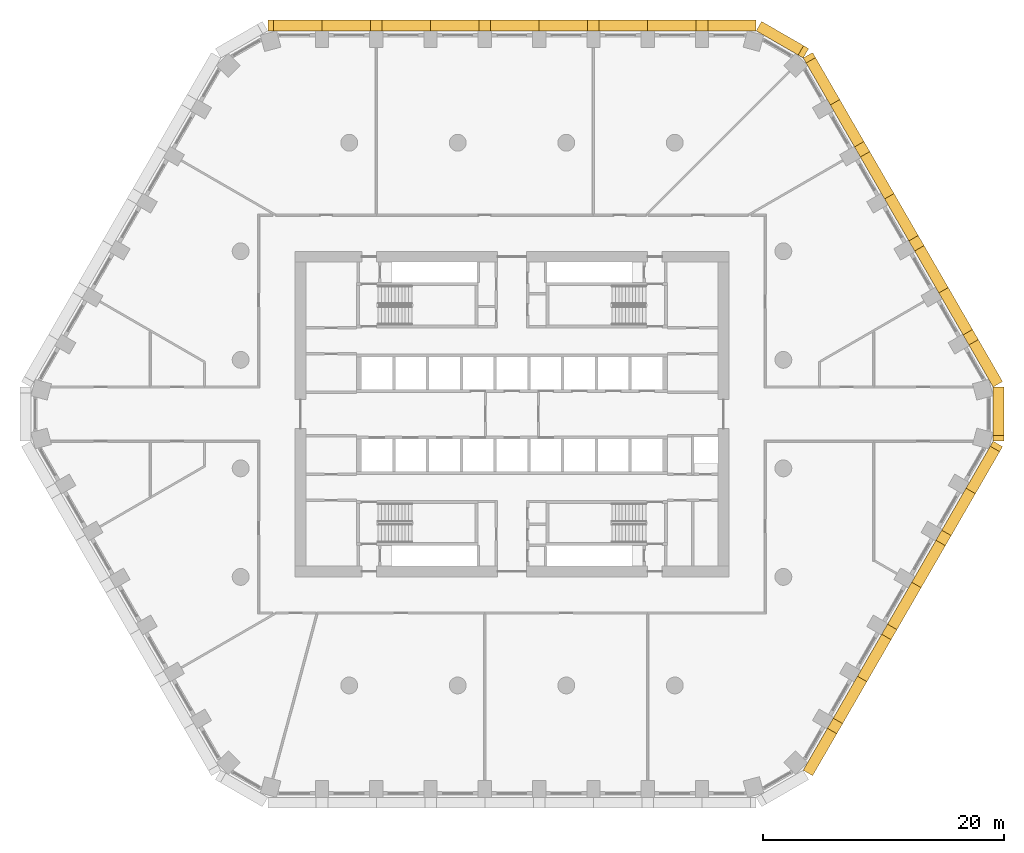
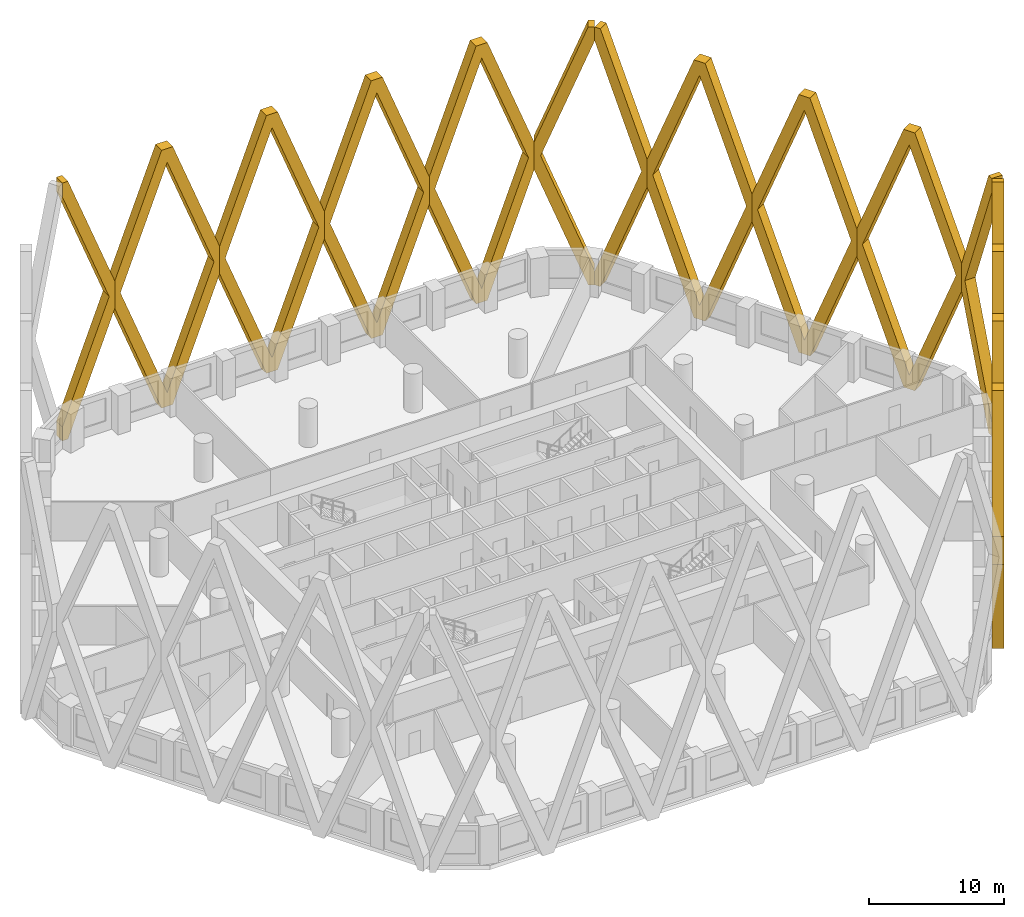
# One storey, part 18 of 18: 15 coverings.
"""IFC4 building model written with IfcOpenShell, lengths in metres."""

from ifc_helpers import new_model, si_unit, direction, frame, origin, place, context, subcontext, project, spatial, polyline, outline, extrude, material, type_object, element, save


model = new_model("IFC4")

# Units and contexts
model_context = context("Model", 3, precision=1e-05, world=origin(), true_north=direction((0.0, 1.0)))
body_context = subcontext(model_context, "Body", "Model", "MODEL_VIEW")
ifc_project = project(units=[si_unit("LENGTHUNIT", "METRE"), si_unit("AREAUNIT", "SQUARE_METRE"), si_unit("VOLUMEUNIT", "CUBIC_METRE"), si_unit("PLANEANGLEUNIT", "RADIAN"), si_unit("MASSUNIT", "GRAM", prefix="KILO")], contexts=[model_context])

# Site, building, storey
site_placement = place(None, origin())
site = spatial("IfcSite", under=ifc_project, at=site_placement, CompositionType="ELEMENT")
building_placement = place(site_placement, origin())
building = spatial("IfcBuilding", under=site, at=building_placement, Name="Dhurran Vertical Campus", CompositionType="ELEMENT")
storey_placement = place(building_placement, frame((0.0, 0.0, 30.0)))
storey = spatial("IfcBuildingStorey", under=building, at=storey_placement, Name="L06", CompositionType="ELEMENT", Elevation=30.0)

# Coverings
ifc_material = material(Name="Precast concrete C50/60", Category="concrete")
covering_type = type_object("IfcCoveringType", Name="Folded precast fin lattice diamond", PredefinedType="USERDEFINED", material=ifc_material)
for number, where, z_axis, x_axis, name in (
    (1, (24.147216796875, -29.52978515625, 0.0), (0.866013897511, -0.50001992892, 0.0), (0.50001992892, 0.866013897511, 0.0), "FN1 L06.007"),
    (2, (28.647216796875, -21.735595703125, 0.0), (0.866013897511, -0.50001992892, 0.0), (0.50001992892, 0.866013897511, 0.0), "FN1 L06.008"),
    (3, (33.147216796875, -13.94140625, 0.0), (0.866013897511, -0.50001992892, 0.0), (0.50001992892, 0.866013897511, 0.0), "FN1 L06.009"),
):
    element("IfcCovering", number, at=place(storey_placement, frame(where, z_axis=z_axis, x_axis=x_axis)), inside=storey, type_object=covering_type, Name=name, ObjectType="FIN", PredefinedType="USERDEFINED", context=body_context, shape_type="SweptSolid", body=[
        extrude(outline(polyline([(9.0, 12.95361328125), (9.0, 10.4462890625), (4.982177734375, 0.0), (4.017822265625, 0.0), (0.0, 10.4462890625), (0.0, 12.95361328125), (4.017822265625, 23.39990234375), (4.982177734375, 23.39990234375), (9.0, 12.95361328125)]), holes=[polyline([(8.517822265625, 11.699951171875), (4.5, 22.146484375), (0.482177734375, 11.699951171875), (4.5, 1.253662109375), (8.517822265625, 11.699951171875)])]), origin(), (0.0, 0.0, 1.0), 0.89990234375),
    ])
covering_1_placement = place(storey_placement, frame((37.647216796875, -6.147216796875, 0.0), z_axis=(0.866013897511, -0.50001992892, 0.0), x_axis=(0.50001992892, 0.866013897511, 0.0)))
element("IfcCovering", 4, at=covering_1_placement, inside=storey, type_object=covering_type, Name="FN1 L06.010", ObjectType="FIN", PredefinedType="USERDEFINED", context=body_context, shape_type="SweptSolid", body=[
    extrude(outline(polyline([(4.017822265625, 0.0), (0.0, 10.4462890625), (0.0, 12.95361328125), (4.017822265625, 23.39990234375), (4.5, 23.39990234375), (4.5, 22.146484375), (0.482177734375, 11.699951171875), (4.5, 1.253662109375), (4.5, 0.0), (4.017822265625, 0.0)])), origin(), (0.0, 0.0, 1.0), 0.89990234375),
])
covering_2_placement = place(storey_placement, frame((39.897216796875, -2.25, 0.0), z_axis=(1.0, 0.0, 0.0), x_axis=(0.0, 1.0, 0.0)))
element("IfcCovering", 5, at=covering_2_placement, inside=storey, type_object=covering_type, Name="FN1 L06.011", ObjectType="FIN", PredefinedType="USERDEFINED", context=body_context, shape_type="SweptSolid", body=[
    extrude(outline(polyline([(4.5, 10.4462890625), (0.482177734375, 0.0), (0.0, 0.0), (0.0, 1.253662109375), (4.017822265625, 11.699951171875), (0.0, 22.146484375), (0.0, 23.39990234375), (0.482177734375, 23.39990234375), (4.5, 12.95361328125), (4.5, 10.4462890625)])), origin(), (0.0, 0.0, 1.0), 0.89990234375),
])
for number, where, z_axis, x_axis, name in (
    (6, (39.897216796875, 2.25, 0.0), (0.866013897511, 0.50001992892, 0.0), (-0.50001992892, 0.866013897511, 0.0), "FN1 L06.012"),
    (7, (35.397216796875, 10.044189453125, 0.0), (0.866013897511, 0.50001992892, 0.0), (-0.50001992892, 0.866013897511, 0.0), "FN1 L06.013"),
    (8, (30.897216796875, 17.83837890625, 0.0), (0.865896406789, 0.500223362819, 0.0), (-0.500223362819, 0.865896406789, 0.0), "FN1 L06.014"),
):
    element("IfcCovering", number, at=place(storey_placement, frame(where, z_axis=z_axis, x_axis=x_axis)), inside=storey, type_object=covering_type, Name=name, ObjectType="FIN", PredefinedType="USERDEFINED", context=body_context, shape_type="SweptSolid", body=[
        extrude(outline(polyline([(9.0, 12.95361328125), (9.0, 10.4462890625), (4.982177734375, 0.0), (4.017822265625, 0.0), (0.0, 10.4462890625), (0.0, 12.95361328125), (4.017822265625, 23.39990234375), (4.982177734375, 23.39990234375), (9.0, 12.95361328125)]), holes=[polyline([(8.517822265625, 11.699951171875), (4.5, 22.146484375), (0.482177734375, 11.699951171875), (4.5, 1.253662109375), (8.517822265625, 11.699951171875)])]), origin(), (0.0, 0.0, 1.0), 0.89990234375),
    ])
covering_3_placement = place(storey_placement, frame((26.397216796875, 25.6328125, 0.0), z_axis=(0.866013897511, 0.50001992892, 0.0), x_axis=(-0.50001992892, 0.866013897511, 0.0)))
element("IfcCovering", 9, at=covering_3_placement, inside=storey, type_object=covering_type, Name="FN1 L06.015", ObjectType="FIN", PredefinedType="USERDEFINED", context=body_context, shape_type="SweptSolid", body=[
    extrude(outline(polyline([(4.017822265625, 0.0), (0.0, 10.4462890625), (0.0, 12.95361328125), (4.017822265625, 23.39990234375), (4.5, 23.39990234375), (4.5, 22.146484375), (0.482177734375, 11.699951171875), (4.5, 1.253662109375), (4.5, 0.0), (4.017822265625, 0.0)])), origin(), (0.0, 0.0, 1.0), 0.89990234375),
])
covering_4_placement = place(storey_placement, frame((24.147216796875, 29.52978515625, 0.0), z_axis=(0.50001992892, 0.866013897511, 0.0), x_axis=(-0.866013897511, 0.50001992892, 0.0)))
element("IfcCovering", 10, at=covering_4_placement, inside=storey, type_object=covering_type, Name="FN1 L06.016", ObjectType="FIN", PredefinedType="USERDEFINED", context=body_context, shape_type="SweptSolid", body=[
    extrude(outline(polyline([(4.5, 10.4462890625), (0.482177734375, 0.0), (0.0, 0.0), (0.0, 1.253662109375), (4.017822265625, 11.699951171875), (0.0, 22.146484375), (0.0, 23.39990234375), (0.482177734375, 23.39990234375), (4.5, 12.95361328125), (4.5, 10.4462890625)])), origin(), (0.0, 0.0, 1.0), 0.89990234375),
])
for number, where, z_axis, x_axis, name in (
    (11, (20.25, 31.77978515625, 0.0), (0.0, 1.0, 0.0), (-1.0, 0.0, 0.0), "FN1 L06.017"),
    (12, (11.25, 31.77978515625, 0.0), (0.0, 1.0, 0.0), (-1.0, 0.0, 0.0), "FN1 L06.018"),
    (13, (2.25, 31.77978515625, 0.0), (0.0, 1.0, 0.0), (-1.0, 0.0, 0.0), "FN1 L06.019"),
    (14, (-6.75, 31.77978515625, 0.0), (0.0, 1.0, 0.0), (-1.0, 0.0, 0.0), "FN1 L06.020"),
):
    element("IfcCovering", number, at=place(storey_placement, frame(where, z_axis=z_axis, x_axis=x_axis)), inside=storey, type_object=covering_type, Name=name, ObjectType="FIN", PredefinedType="USERDEFINED", context=body_context, shape_type="SweptSolid", body=[
        extrude(outline(polyline([(9.0, 12.95361328125), (9.0, 10.4462890625), (4.982177734375, 0.0), (4.017822265625, 0.0), (0.0, 10.4462890625), (0.0, 12.95361328125), (4.017822265625, 23.39990234375), (4.982177734375, 23.39990234375), (9.0, 12.95361328125)]), holes=[polyline([(8.517822265625, 11.699951171875), (4.5, 22.146484375), (0.482177734375, 11.699951171875), (4.5, 1.253662109375), (8.517822265625, 11.699951171875)])]), origin(), (0.0, 0.0, 1.0), 0.89990234375),
    ])
covering_5_placement = place(storey_placement, frame((-15.75, 31.77978515625, 0.0), z_axis=(0.0, 1.0, 0.0), x_axis=(-1.0, 0.0, 0.0)))
element("IfcCovering", 15, at=covering_5_placement, inside=storey, type_object=covering_type, Name="FN1 L06.021", ObjectType="FIN", PredefinedType="USERDEFINED", context=body_context, shape_type="SweptSolid", body=[
    extrude(outline(polyline([(4.017822265625, 0.0), (0.0, 10.4462890625), (0.0, 12.95361328125), (4.017822265625, 23.39990234375), (4.5, 23.39990234375), (4.5, 22.146484375), (0.482177734375, 11.699951171875), (4.5, 1.253662109375), (4.5, 0.0), (4.017822265625, 0.0)])), origin(), (0.0, 0.0, 1.0), 0.89990234375),
])

save(model, "model.ifc")
